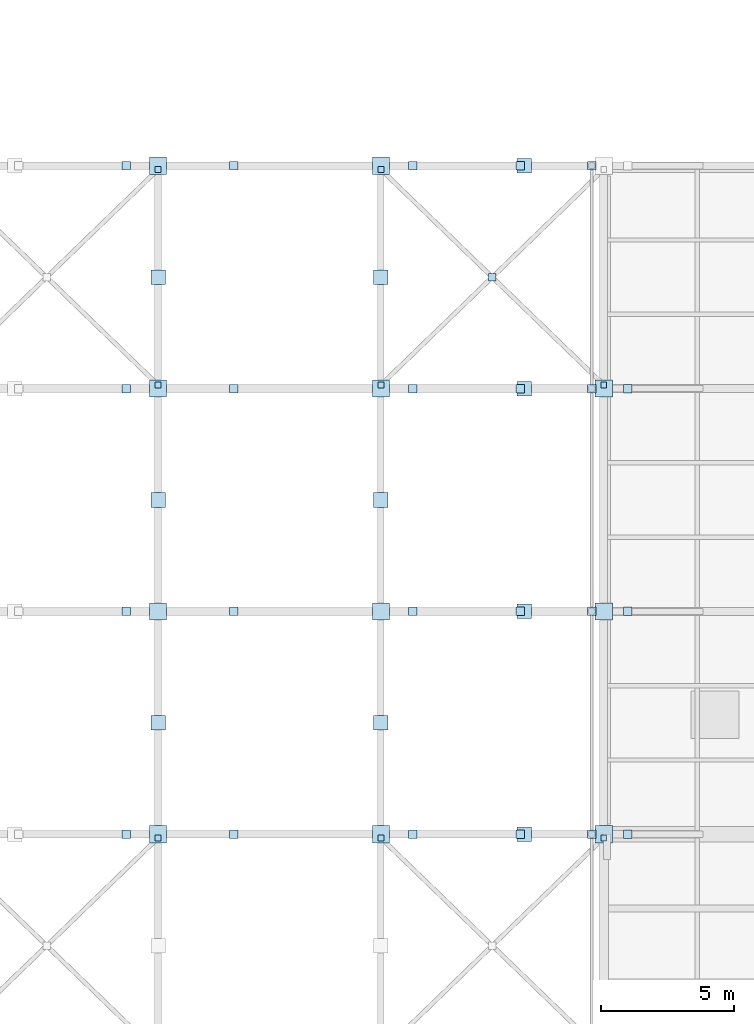
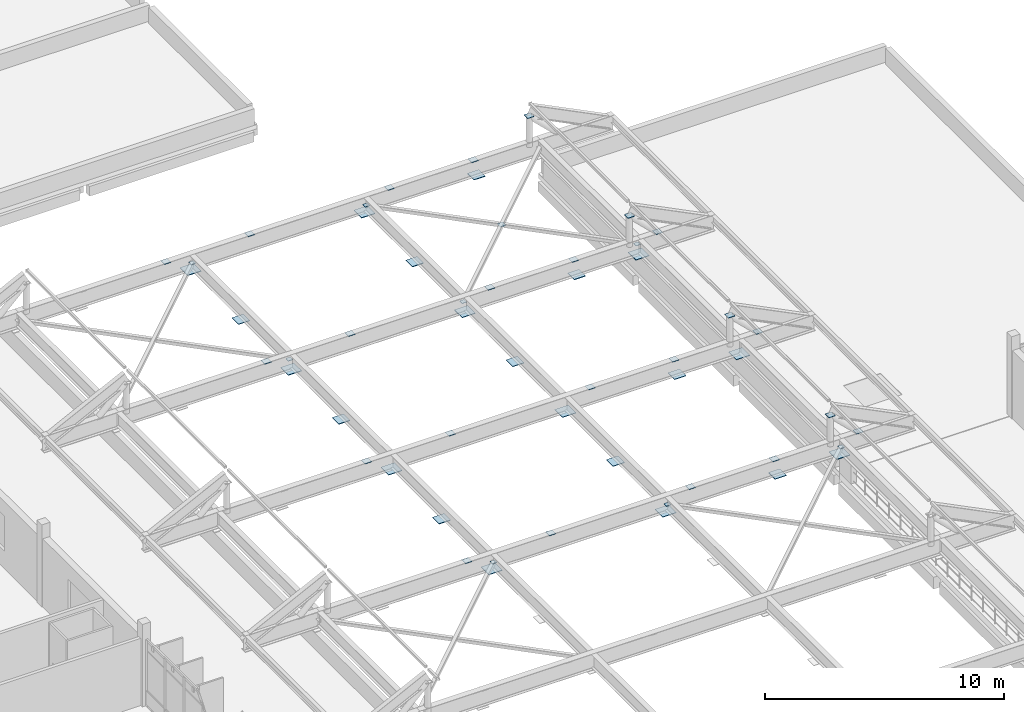
# One storey, part 33 of 41: 53 plates.
"""IFC4 building model written with IfcOpenShell, lengths in metres."""

from ifc_helpers import new_model, si_unit, direction, frame, origin, origin_2d, place, context, subcontext, project, spatial, rectangle, extrude, material, layer, layer_set, type_object, element, save


model = new_model("IFC4")

# Units and contexts
model_context = context("Model", 3, precision=1e-05, world=origin(), true_north=direction((0.0, 1.0)))
body_context = subcontext(model_context, "Body", "Model", "MODEL_VIEW")
ifc_project = project(units=[si_unit("LENGTHUNIT", "METRE"), si_unit("AREAUNIT", "SQUARE_METRE"), si_unit("VOLUMEUNIT", "CUBIC_METRE"), si_unit("PLANEANGLEUNIT", "RADIAN"), si_unit("MASSUNIT", "GRAM", prefix="KILO")], contexts=[model_context])

# Site, building, storey
site_placement = place(None, origin())
site = spatial("IfcSite", under=ifc_project, at=site_placement, CompositionType="ELEMENT")
building_placement = place(site_placement, origin())
building = spatial("IfcBuilding", under=site, at=building_placement, Name="Vireocrest Preparatory School", CompositionType="ELEMENT")
storey_placement = place(building_placement, frame((0.0, 0.0, 21.60009765625)))
storey = spatial("IfcBuildingStorey", under=building, at=storey_placement, Name="L05", CompositionType="ELEMENT", Elevation=21.60009765625)

# Plates
ifc_material = material(Name="Structural steel ASTM A572 Grade 50", Category="steel")
ifc_layer_1 = layer(ifc_material, 0.028076171875)
ifc_layer_set_1 = layer_set([ifc_layer_1], Name="Structural steel ASTM A572 Grade 50")
plate_type_1 = type_object("IfcPlateType", Name="Canopy Girder Upper Steel Node Plate 28", PredefinedType="SHEET", material=ifc_layer_set_1)
for number, where, z_axis, x_axis, name in (
    (1, (84.0, 60.60009765625, 0.9716796875), (0.0, 0.0, 1.0), (1.0, 0.0, 0.0), "Node VN2 Canopy Girder Bearing Plate W5-A2"),
    (2, (75.60009765625, 60.60009765625, 0.9716796875), (0.0, 0.0, 1.0), (1.0, 0.0, 0.0), "Node VN2 Canopy Girder Bearing Plate E5-A1"),
    (3, (92.39990234375, 60.60009765625, 0.9716796875), (0.0, 0.0, 1.0), (1.0, 0.0, 0.0), "Node VN2 Canopy Girder Bearing Plate E5-A2"),
):
    element("IfcPlate", number, at=place(storey_placement, frame(where, z_axis=z_axis, x_axis=x_axis)), inside=storey, type_object=plate_type_1, Name=name, PredefinedType="SHEET", context=body_context, shape_type="SweptSolid", body=[
        extrude(rectangle(XDim=0.64990234375, YDim=0.64990234375, at=origin_2d()), origin(), (0.0, 0.0, 1.0), 0.028076171875),
    ])
plate_1_placement = place(storey_placement, frame((89.39990234375, 60.60009765625, 0.9716796875), z_axis=(0.0, 0.0, 1.0), x_axis=(1.0, 0.0, 0.0)))
element("IfcPlate", 4, at=plate_1_placement, inside=storey, type_object=plate_type_1, Name="Node VN2 Secondary Strut Bearing Plate E5", PredefinedType="SHEET", context=body_context, shape_type="SweptSolid", body=[
    extrude(rectangle(XDim=0.550048828125, YDim=0.550048828125, at=origin_2d()), origin(), (0.0, 0.0, 1.0), 0.028076171875),
])
for number, where, z_axis, x_axis, name in (
    (5, (84.0, 69.0, 0.9716796875), (0.0, 0.0, 1.0), (1.0, 0.0, 0.0), "Node VN2 Canopy Girder Bearing Plate W6-A2"),
    (6, (75.60009765625, 69.0, 0.9716796875), (0.0, 0.0, 1.0), (1.0, 0.0, 0.0), "Node VN2 Canopy Girder Bearing Plate E6-A1"),
    (7, (92.39990234375, 69.0, 0.9716796875), (0.0, 0.0, 1.0), (1.0, 0.0, 0.0), "Node VN2 Canopy Girder Bearing Plate E6-A2"),
):
    element("IfcPlate", number, at=place(storey_placement, frame(where, z_axis=z_axis, x_axis=x_axis)), inside=storey, type_object=plate_type_1, Name=name, PredefinedType="SHEET", context=body_context, shape_type="SweptSolid", body=[
        extrude(rectangle(XDim=0.64990234375, YDim=0.64990234375, at=origin_2d()), origin(), (0.0, 0.0, 1.0), 0.028076171875),
    ])
plate_2_placement = place(storey_placement, frame((89.39990234375, 69.0, 0.9716796875), z_axis=(0.0, 0.0, 1.0), x_axis=(1.0, 0.0, 0.0)))
element("IfcPlate", 8, at=plate_2_placement, inside=storey, type_object=plate_type_1, Name="Node VN2 Secondary Strut Bearing Plate E6", PredefinedType="SHEET", context=body_context, shape_type="SweptSolid", body=[
    extrude(rectangle(XDim=0.550048828125, YDim=0.550048828125, at=origin_2d()), origin(), (0.0, 0.0, 1.0), 0.028076171875),
])
for number, where, z_axis, x_axis, name in (
    (9, (84.0, 77.39990234375, 0.9716796875), (0.0, 0.0, 1.0), (1.0, 0.0, 0.0), "Node VN2 Canopy Girder Bearing Plate W7-A2"),
    (10, (75.60009765625, 77.39990234375, 0.9716796875), (0.0, 0.0, 1.0), (1.0, 0.0, 0.0), "Node VN2 Canopy Girder Bearing Plate E7-A1"),
    (11, (92.39990234375, 77.39990234375, 0.9716796875), (0.0, 0.0, 1.0), (1.0, 0.0, 0.0), "Node VN2 Canopy Girder Bearing Plate E7-A2"),
):
    element("IfcPlate", number, at=place(storey_placement, frame(where, z_axis=z_axis, x_axis=x_axis)), inside=storey, type_object=plate_type_1, Name=name, PredefinedType="SHEET", context=body_context, shape_type="SweptSolid", body=[
        extrude(rectangle(XDim=0.64990234375, YDim=0.64990234375, at=origin_2d()), origin(), (0.0, 0.0, 1.0), 0.028076171875),
    ])
plate_3_placement = place(storey_placement, frame((89.39990234375, 77.39990234375, 0.9716796875), z_axis=(0.0, 0.0, 1.0), x_axis=(1.0, 0.0, 0.0)))
element("IfcPlate", 12, at=plate_3_placement, inside=storey, type_object=plate_type_1, Name="Node VN2 Secondary Strut Bearing Plate E7", PredefinedType="SHEET", context=body_context, shape_type="SweptSolid", body=[
    extrude(rectangle(XDim=0.550048828125, YDim=0.550048828125, at=origin_2d()), origin(), (0.0, 0.0, 1.0), 0.028076171875),
])
for number, where, z_axis, x_axis, name in (
    (13, (84.0, 85.800048828125, 0.9716796875), (0.0, 0.0, 1.0), (1.0, 0.0, 0.0), "Node VN2 Canopy Girder Bearing Plate W8-A2"),
    (14, (75.60009765625, 85.800048828125, 0.9716796875), (0.0, 0.0, 1.0), (1.0, 0.0, 0.0), "Node VN2 Canopy Girder Bearing Plate E8-A1"),
):
    element("IfcPlate", number, at=place(storey_placement, frame(where, z_axis=z_axis, x_axis=x_axis)), inside=storey, type_object=plate_type_1, Name=name, PredefinedType="SHEET", context=body_context, shape_type="SweptSolid", body=[
        extrude(rectangle(XDim=0.64990234375, YDim=0.64990234375, at=origin_2d()), origin(), (0.0, 0.0, 1.0), 0.028076171875),
    ])
for number, where, z_axis, x_axis, name in (
    (15, (89.39990234375, 85.800048828125, 0.9716796875), (0.0, 0.0, 1.0), (1.0, 0.0, 0.0), "Node VN2 Secondary Strut Bearing Plate E8"),
    (16, (75.60009765625, 64.800048828125, 0.9716796875), (0.0, 0.0, 1.0), (1.0, 0.0, 0.0), "Node VN2 Spine Strut Cap W5"),
    (17, (84.0, 64.800048828125, 0.9716796875), (0.0, 0.0, 1.0), (1.0, 0.0, 0.0), "Node VN2 Spine Strut Cap E5"),
    (18, (75.60009765625, 73.199951171875, 0.9716796875), (0.0, 0.0, 1.0), (1.0, 0.0, 0.0), "Node VN2 Spine Strut Cap W6"),
    (19, (84.0, 73.199951171875, 0.9716796875), (0.0, 0.0, 1.0), (1.0, 0.0, 0.0), "Node VN2 Spine Strut Cap E6"),
    (20, (75.60009765625, 81.60009765625, 0.9716796875), (0.0, 0.0, 1.0), (1.0, 0.0, 0.0), "Node VN2 Spine Strut Cap W7"),
    (21, (84.0, 81.60009765625, 0.9716796875), (0.0, 0.0, 1.0), (1.0, 0.0, 0.0), "Node VN2 Spine Strut Cap E7"),
):
    element("IfcPlate", number, at=place(storey_placement, frame(where, z_axis=z_axis, x_axis=x_axis)), inside=storey, type_object=plate_type_1, Name=name, PredefinedType="SHEET", context=body_context, shape_type="SweptSolid", body=[
        extrude(rectangle(XDim=0.550048828125, YDim=0.550048828125, at=origin_2d()), origin(), (0.0, 0.0, 1.0), 0.028076171875),
    ])
ifc_layer_2 = layer(ifc_material, 0.02001953125)
ifc_layer_set_2 = layer_set([ifc_layer_2], Name="Structural steel ASTM A572 Grade 50")
plate_type_2 = type_object("IfcPlateType", Name="Hollow Section Steel End Cap Plate 20", PredefinedType="SHEET", material=ifc_layer_set_2)
for number, where, z_axis, x_axis, name in (
    (22, (74.39990234375, 60.60009765625, 1.804931640625), (0.0, 0.0, 1.0), (1.0, 0.0, 0.0), "Canopy Web Cap CP1-5-3B"),
    (23, (78.449951171875, 60.60009765625, 1.804931640625), (0.0, 0.0, 1.0), (1.0, 0.0, 0.0), "Canopy Web Cap CP1-5-4B"),
    (24, (85.199951171875, 60.60009765625, 1.804931640625), (0.0, 0.0, 1.0), (1.0, 0.0, 0.0), "Canopy Web Cap CP1-5-5B"),
    (25, (89.25, 60.60009765625, 1.804931640625), (0.0, 0.0, 1.0), (1.0, 0.0, 0.0), "Canopy Web Cap CP1-5-6B"),
    (26, (93.300048828125, 60.60009765625, 1.804931640625), (0.0, 0.0, 1.0), (1.0, 0.0, 0.0), "Canopy Web Cap CP1-5-7B"),
    (27, (91.949951171875, 60.60009765625, 3.10791015625), (0.0, 0.0, 1.0), (1.0, 0.0, 0.0), "Canopy Web Cap CP1-5-7T"),
    (28, (74.39990234375, 69.0, 1.804931640625), (0.0, 0.0, 1.0), (1.0, 0.0, 0.0), "Canopy Web Cap CP1-6-3B"),
    (29, (78.449951171875, 69.0, 1.804931640625), (0.0, 0.0, 1.0), (1.0, 0.0, 0.0), "Canopy Web Cap CP1-6-4B"),
    (30, (85.199951171875, 69.0, 1.804931640625), (0.0, 0.0, 1.0), (1.0, 0.0, 0.0), "Canopy Web Cap CP1-6-5B"),
    (31, (89.25, 69.0, 1.804931640625), (0.0, 0.0, 1.0), (1.0, 0.0, 0.0), "Canopy Web Cap CP1-6-6B"),
    (32, (93.300048828125, 69.0, 1.804931640625), (0.0, 0.0, 1.0), (1.0, 0.0, 0.0), "Canopy Web Cap CP1-6-7B"),
    (33, (91.949951171875, 69.0, 3.10791015625), (0.0, 0.0, 1.0), (1.0, 0.0, 0.0), "Canopy Web Cap CP1-6-7T"),
    (34, (74.39990234375, 77.39990234375, 1.804931640625), (0.0, 0.0, 1.0), (1.0, 0.0, 0.0), "Canopy Web Cap CP1-7-3B"),
    (35, (78.449951171875, 77.39990234375, 1.804931640625), (0.0, 0.0, 1.0), (1.0, 0.0, 0.0), "Canopy Web Cap CP1-7-4B"),
    (36, (85.199951171875, 77.39990234375, 1.804931640625), (0.0, 0.0, 1.0), (1.0, 0.0, 0.0), "Canopy Web Cap CP1-7-5B"),
    (37, (89.25, 77.39990234375, 1.804931640625), (0.0, 0.0, 1.0), (1.0, 0.0, 0.0), "Canopy Web Cap CP1-7-6B"),
    (38, (93.300048828125, 77.39990234375, 1.804931640625), (0.0, 0.0, 1.0), (1.0, 0.0, 0.0), "Canopy Web Cap CP1-7-7B"),
    (39, (91.949951171875, 77.39990234375, 3.10791015625), (0.0, 0.0, 1.0), (1.0, 0.0, 0.0), "Canopy Web Cap CP1-7-7T"),
    (40, (74.39990234375, 85.800048828125, 1.804931640625), (0.0, 0.0, 1.0), (1.0, 0.0, 0.0), "Canopy Web Cap CP1-8-3B"),
    (41, (78.449951171875, 85.800048828125, 1.804931640625), (0.0, 0.0, 1.0), (1.0, 0.0, 0.0), "Canopy Web Cap CP1-8-4B"),
    (42, (85.199951171875, 85.800048828125, 1.804931640625), (0.0, 0.0, 1.0), (1.0, 0.0, 0.0), "Canopy Web Cap CP1-8-5B"),
    (43, (89.25, 85.800048828125, 1.804931640625), (0.0, 0.0, 1.0), (1.0, 0.0, 0.0), "Canopy Web Cap CP1-8-6B"),
    (44, (91.949951171875, 85.800048828125, 3.10791015625), (0.0, 0.0, 1.0), (1.0, 0.0, 0.0), "Canopy Web Cap CP1-8-7T"),
):
    element("IfcPlate", number, at=place(storey_placement, frame(where, z_axis=z_axis, x_axis=x_axis)), inside=storey, type_object=plate_type_2, Name=name, PredefinedType="SHEET", context=body_context, shape_type="SweptSolid", body=[
        extrude(rectangle(XDim=0.320068359375, YDim=0.320068359375, at=origin_2d()), origin(), (0.0, 0.0, 1.0), 0.02001953125),
    ])
for number, where, z_axis, x_axis, name in (
    (45, (75.60009765625, 60.4599609375, 1.407470703125), (0.0, 0.0, 1.0), (1.0, 0.0, 0.0), "Canopy Brace Cap CP1-4-WB"),
    (46, (92.39990234375, 60.4599609375, 1.407470703125), (0.0, 0.0, 1.0), (1.0, 0.0, 0.0), "Canopy Brace Cap CP1-4-EB"),
    (47, (84.0, 60.4599609375, 1.407470703125), (0.0, 0.0, 1.0), (1.0, 0.0, 0.0), "Canopy Brace Cap CP1-4-EC"),
    (48, (75.60009765625, 85.659912109375, 1.407470703125), (0.0, 0.0, 1.0), (1.0, 0.0, 0.0), "Canopy Brace Cap CP1-7-WB"),
    (49, (75.60009765625, 77.5400390625, 1.407470703125), (0.0, 0.0, 1.0), (1.0, 0.0, 0.0), "Canopy Brace Cap CP1-7-WD"),
    (50, (84.0, 77.5400390625, 1.407470703125), (0.0, 0.0, 1.0), (1.0, 0.0, 0.0), "Canopy Brace Cap CP1-7-EA"),
):
    element("IfcPlate", number, at=place(storey_placement, frame(where, z_axis=z_axis, x_axis=x_axis)), inside=storey, type_object=plate_type_2, Name=name, PredefinedType="SHEET", context=body_context, shape_type="SweptSolid", body=[
        extrude(rectangle(XDim=0.219970703125, YDim=0.219970703125, at=origin_2d()), origin(), (0.0, 0.0, 1.0), 0.02001953125),
    ])
plate_4_placement = place(storey_placement, frame((88.199951171875, 81.60009765625, 1.407470703125), z_axis=(0.0, 0.0, 1.0), x_axis=(1.0, 0.0, 0.0)))
element("IfcPlate", 51, at=plate_4_placement, inside=storey, type_object=plate_type_2, Name="Canopy X-Brace Crossing Gusset CP1-7-E", PredefinedType="SHEET", context=body_context, shape_type="SweptSolid", body=[
    extrude(rectangle(XDim=0.280029296875, YDim=0.280029296875, at=origin_2d()), origin(), (0.0, 0.0, 1.0), 0.02001953125),
])
for number, where, z_axis, x_axis, name in (
    (52, (84.0, 85.659912109375, 1.407470703125), (0.0, 0.0, 1.0), (1.0, 0.0, 0.0), "Canopy Brace Cap CP1-7-EC"),
    (53, (92.39990234375, 77.5400390625, 1.407470703125), (0.0, 0.0, 1.0), (1.0, 0.0, 0.0), "Canopy Brace Cap CP1-7-ED"),
):
    element("IfcPlate", number, at=place(storey_placement, frame(where, z_axis=z_axis, x_axis=x_axis)), inside=storey, type_object=plate_type_2, Name=name, PredefinedType="SHEET", context=body_context, shape_type="SweptSolid", body=[
        extrude(rectangle(XDim=0.219970703125, YDim=0.219970703125, at=origin_2d()), origin(), (0.0, 0.0, 1.0), 0.02001953125),
    ])

save(model, "model.ifc")
